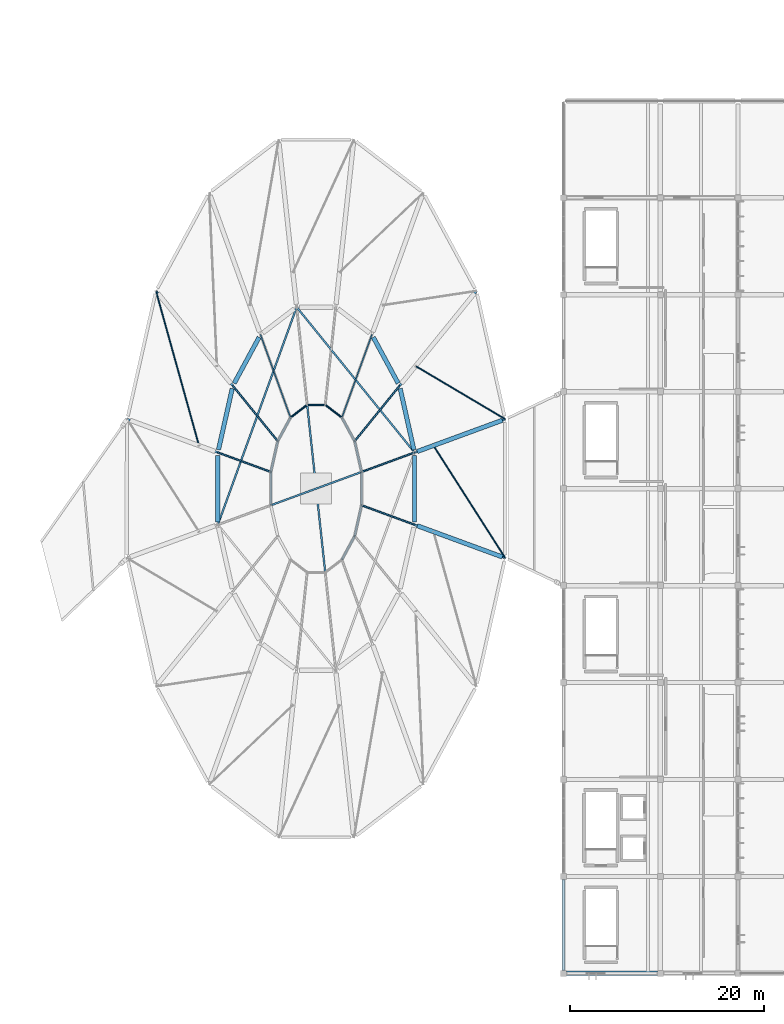
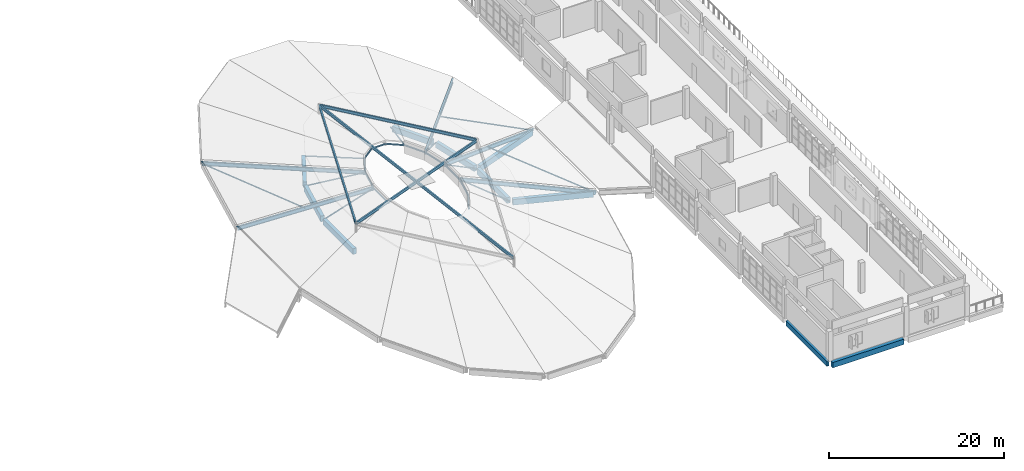
# One storey, part 7 of 39: 26 members, 14 beams.
"""IFC4 building model written with IfcOpenShell, lengths in metres."""

import ifcopenshell
import ifcopenshell.guid

model = None  # the IFC model being written
_history = None  # IfcOwnerHistory: only IFC2X3 demands one
_inside = {}  # id of a spatial element -> (the spatial element, [elements in it])
_under = {}  # id of a project, library or spatial element -> (it, [spatial elements below it])
_declared = {}  # id of a project -> (the project, [libraries it declares])
_typed = {}  # id of a type object -> (the type object, [elements of that type])
_made_of = {}  # id of a material, layer set ... -> (it, [elements and type objects made of it])


def new_model(schema):
    """Start an empty IFC model of exactly this schema.

    Asked for "IFC4X3", IfcOpenShell would pick the latest addendum, in which some entities
    have other attributes; the version numbers below select the first issue.
    IFC2X3 requires an IfcOwnerHistory on every rooted entity: one is made here for all.
    """
    global model, _history
    if schema == "IFC4X3":
        model = ifcopenshell.file(schema_version=(4, 3, 0, 0))
    else:
        model = ifcopenshell.file(schema=schema)
    _inside.clear()
    _under.clear()
    _declared.clear()
    _typed.clear()
    _made_of.clear()
    _history = None
    if model.schema == "IFC2X3":
        org = make("IfcOrganization", Name="unknown")
        user = make(
            "IfcPersonAndOrganization",
            ThePerson=make("IfcPerson", FamilyName="unknown"),
            TheOrganization=org,
        )
        app = make(
            "IfcApplication",
            ApplicationDeveloper=org,
            Version="unknown",
            ApplicationFullName="unknown",
            ApplicationIdentifier="unknown",
        )
        _history = make(
            "IfcOwnerHistory",
            OwningUser=user,
            OwningApplication=app,
            ChangeAction="ADDED",
            CreationDate=0,
        )
    return model


def make(cls, **values):
    """One entity of the class cls with the attributes given. An attribute that is None is left unset."""
    return model.create_entity(
        cls, **{name: value for name, value in values.items() if value is not None}
    )


def rooted(cls, **values):
    """An entity with a GlobalId (a new one), such as an element, a storey or a relation."""
    return make(cls, GlobalId=ifcopenshell.guid.new(), OwnerHistory=_history, **values)


def si_unit(unit_type, name, prefix=None):
    """IfcSIUnit, for example si_unit("LENGTHUNIT", "METRE", prefix="MILLI")."""
    return make("IfcSIUnit", UnitType=unit_type, Prefix=prefix, Name=name)


def assignment(units):
    """IfcUnitAssignment: the units of a project."""
    return None if units is None else make("IfcUnitAssignment", Units=units)


def point(xyz):
    """IfcCartesianPoint."""
    return None if xyz is None else make("IfcCartesianPoint", Coordinates=xyz)


def direction(xyz):
    """IfcDirection."""
    return None if xyz is None else make("IfcDirection", DirectionRatios=xyz)


def frame(location, z_axis=None, x_axis=None):
    """IfcAxis2Placement3D, a coordinate frame: its origin and axes. An axis left out is left unset."""
    return make(
        "IfcAxis2Placement3D",
        Location=point(location),
        Axis=direction(z_axis),
        RefDirection=direction(x_axis),
    )


def frame_2d(location, x_axis=None):
    """IfcAxis2Placement2D, a coordinate frame in the plane: its origin and x axis."""
    return make(
        "IfcAxis2Placement2D", Location=point(location), RefDirection=direction(x_axis)
    )


def origin():
    """The frame at (0, 0, 0) with its axes left unset."""
    return frame((0.0, 0.0, 0.0))


def origin_2d():
    """The frame at (0, 0) in the plane with its x axis left unset."""
    return frame_2d((0.0, 0.0))


def place(relative_to, where):
    """IfcLocalPlacement: puts the frame where relative to a parent placement (None: the world)."""
    return make(
        "IfcLocalPlacement", PlacementRelTo=relative_to, RelativePlacement=where
    )


def context(
    kind, dimensions, precision=None, world=None, true_north=None, identifier=None
):
    """IfcGeometricRepresentationContext, for example the 3D "Model" context."""
    return make(
        "IfcGeometricRepresentationContext",
        ContextIdentifier=identifier,
        ContextType=kind,
        CoordinateSpaceDimension=dimensions,
        Precision=precision,
        WorldCoordinateSystem=world,
        TrueNorth=true_north,
    )


def subcontext(parent, identifier, kind, view, scale=None):
    """IfcGeometricRepresentationSubContext, for example "Body" below "Model"."""
    return make(
        "IfcGeometricRepresentationSubContext",
        ContextIdentifier=identifier,
        ContextType=kind,
        ParentContext=parent,
        TargetScale=scale,
        TargetView=view,
    )


def project(units=None, contexts=None):
    """IfcProject with its units and contexts."""
    return rooted(
        "IfcProject",
        Name="project",
        RepresentationContexts=contexts,
        UnitsInContext=assignment(units),
    )


def spatial(cls, under=None, at=None, **own):
    """A site, building, storey or space (cls), placed at a placement, below another one or the project."""
    s = rooted(cls, ObjectPlacement=at, **own)
    if under is not None:
        _under.setdefault(under.id(), (under, []))[1].append(s)
    return s


def profile(cls, at=None, kind="AREA", **sizes):
    """A parametric profile (cls). Its sizes go by their IFC names, for example OverallWidth=200.0."""
    return make(cls, ProfileType=kind, Position=at, **sizes)


def rectangle(**sizes):
    """IfcRectangleProfileDef."""
    return profile("IfcRectangleProfileDef", **sizes)


def hollow_rectangle(**sizes):
    """IfcRectangleHollowProfileDef."""
    return profile("IfcRectangleHollowProfileDef", **sizes)


def hollow_circle(**sizes):
    """IfcCircleHollowProfileDef."""
    return profile("IfcCircleHollowProfileDef", **sizes)


def i_section(**sizes):
    """IfcIShapeProfileDef."""
    return profile("IfcIShapeProfileDef", **sizes)


def extrude(swept, where, along, depth):
    """IfcExtrudedAreaSolid: the profile swept, set in the frame where, extruded along a direction by depth."""
    return make(
        "IfcExtrudedAreaSolid",
        SweptArea=swept,
        Position=where,
        ExtrudedDirection=direction(along),
        Depth=depth,
    )


def shape(context_of_items, identifier, shape_type, items):
    """IfcShapeRepresentation: the items that make up one representation, for example the "Body"."""
    return make(
        "IfcShapeRepresentation",
        ContextOfItems=context_of_items,
        RepresentationIdentifier=identifier,
        RepresentationType=shape_type,
        Items=items,
    )


def material(Name=None, Category=None):
    """IfcMaterial."""
    return make("IfcMaterial", Name=Name, Category=Category)


def material_profile(
    of_material, cross_section, Name=None, Category=None, Priority=None
):
    """IfcMaterialProfile: a cross section and its material."""
    return make(
        "IfcMaterialProfile",
        Name=Name,
        Material=of_material,
        Profile=cross_section,
        Priority=Priority,
        Category=Category,
    )


def profile_set(profiles, Name=None, composite=None):
    """IfcMaterialProfileSet."""
    return make(
        "IfcMaterialProfileSet",
        Name=Name,
        MaterialProfiles=profiles,
        CompositeProfile=composite,
    )


def made_of(thing, what):
    """Note that an element or type object is made of a material, layer set ...; save() writes the relation."""
    if what is not None:
        _made_of.setdefault(what.id(), (what, []))[1].append(thing)
    return thing


def type_object(cls, material=None, **own):
    """A type object (cls), such as IfcWallType, which elements share."""
    return made_of(rooted(cls, **own), material)


def element(
    cls,
    number,
    at=None,
    inside=None,
    cuts=None,
    type_object=None,
    material=None,
    context=None,
    identifier="Body",
    shape_type=None,
    held_by="IfcProductDefinitionShape",
    body=None,
    shapes=None,
    **own,
):
    """One element of the class cls, such as IfcWall. Its Tag is "e" and its number.

    at: its placement. inside: the storey or other place that contains it. cuts: it is an
    opening in that element (IfcRelVoidsElement). A single representation is given by context,
    identifier, shape_type and body (its items); several are given by shapes. held_by: the class
    of the entity that holds the representations. save() writes the other relations.
    """
    e = rooted(cls, Tag="e%d" % number, ObjectPlacement=at, **own)
    if body is not None:
        shapes = [shape(context, identifier, shape_type, body)]
    if shapes is not None:
        e.Representation = make(held_by, Representations=shapes)
    if inside is not None:
        _inside.setdefault(inside.id(), (inside, []))[1].append(e)
    if cuts is not None:
        rooted(
            "IfcRelVoidsElement", RelatingBuildingElement=cuts, RelatedOpeningElement=e
        )
    if type_object is not None:
        _typed.setdefault(type_object.id(), (type_object, []))[1].append(e)
    return made_of(e, material)


def aggregate(whole, parts):
    """IfcRelAggregates: a whole, such as a stair, and the parts it consists of."""
    return rooted("IfcRelAggregates", RelatingObject=whole, RelatedObjects=parts)


def save(model, path):
    """Write the relations noted so far, then the file.

    IfcRelAggregates (storeys below a building ...), IfcRelContainedInSpatialStructure (elements
    in a storey), IfcRelDefinesByType, IfcRelAssociatesMaterial and IfcRelDeclares: one each for
    every whole, place, type object, material and project.
    """
    for whole, parts in _under.values():
        aggregate(whole, parts)
    for where, things in _inside.values():
        rooted(
            "IfcRelContainedInSpatialStructure",
            RelatedElements=things,
            RelatingStructure=where,
        )
    for kind, things in _typed.values():
        rooted("IfcRelDefinesByType", RelatedObjects=things, RelatingType=kind)
    for what, things in _made_of.values():
        rooted("IfcRelAssociatesMaterial", RelatedObjects=things, RelatingMaterial=what)
    for by, libraries in _declared.values():
        rooted("IfcRelDeclares", RelatingContext=by, RelatedDefinitions=libraries)
    model.write(path)


model = new_model("IFC4")

# Units and contexts
model_context = context("Model", 3, precision=1e-05, world=origin(), true_north=direction((0.0, 1.0)))
body_context = subcontext(model_context, "Body", "Model", "MODEL_VIEW")
ifc_project = project(units=[si_unit("LENGTHUNIT", "METRE"), si_unit("AREAUNIT", "SQUARE_METRE"), si_unit("VOLUMEUNIT", "CUBIC_METRE"), si_unit("PLANEANGLEUNIT", "RADIAN"), si_unit("MASSUNIT", "GRAM", prefix="KILO")], contexts=[model_context])

# Site, building, storey
site_placement = place(None, origin())
site = spatial("IfcSite", under=ifc_project, at=site_placement, CompositionType="ELEMENT")
building_placement = place(site_placement, origin())
building = spatial("IfcBuilding", under=site, at=building_placement, Name="Corvandel Quay Wholesale Market", CompositionType="ELEMENT")
storey_placement = place(building_placement, frame((0.0, 0.0, 15.0)))
storey = spatial("IfcBuildingStorey", under=building, at=storey_placement, Name="L03", CompositionType="ELEMENT", Elevation=15.0)

# Members
ifc_material_1 = material(Name="Steel A992 Grade 50", Category="steel")
ifc_material_profile_1 = material_profile(ifc_material_1, i_section(OverallWidth=0.2099609375, OverallDepth=0.537109375, WebThickness=0.010986328125, FlangeThickness=0.017333984375, at=origin_2d()), Name="W21X68")
ifc_profile_set_1 = profile_set([ifc_material_profile_1], Name="Steel A992 Grade 50")
member_type_1 = type_object("IfcMemberType", Name="Auction Lantern Primary Rafter RF01 W21X68", PredefinedType="RAFTER", material=ifc_profile_set_1)
member_1_placement = place(storey_placement, frame((214.0, 67.160888671875, -0.56005859375), z_axis=(-0.913434531927, -0.335411029383, 0.230514201845), x_axis=(0.344693996876, -0.938715105086, 0.0)))
element("IfcMember", 1, at=member_1_placement, inside=storey, type_object=member_type_1, Name="Member MEM-0046", PredefinedType="RAFTER", context=body_context, shape_type="SweptSolid", body=[
    extrude(i_section(OverallWidth=0.2099609375, OverallDepth=0.537109375, WebThickness=0.010986328125, FlangeThickness=0.017333984375, at=origin_2d()), origin(), (0.0, 0.0, 1.0), 16.224609375),
])
for number, where, z_axis, x_axis, name in (
    (2, (211.031005859375, 80.39208984375, -0.56005859375), (-0.618929758532, -0.763528723844, 0.184254828616), (0.776829200106, -0.629711357578, 0.0), "Member MEM-0050"),
    (3, (177.968994140625, 80.39208984375, -0.56005859375), (0.618929758532, -0.763528723844, 0.184254828616), (0.776829200106, 0.629711357578, 0.0), "Member MEM-0070"),
):
    element("IfcMember", number, at=place(storey_placement, frame(where, z_axis=z_axis, x_axis=x_axis)), inside=storey, type_object=member_type_1, Name=name, PredefinedType="RAFTER", context=body_context, shape_type="SweptSolid", body=[
        extrude(i_section(OverallWidth=0.2099609375, OverallDepth=0.537109375, WebThickness=0.010986328125, FlangeThickness=0.017333984375, at=origin_2d()), origin(), (0.0, 0.0, 1.0), 20.2978515625),
    ])
for number, where, z_axis, x_axis, name in (
    (4, (175.0, 67.160888671875, -0.56005859375), (0.913434531927, -0.335411029383, 0.230514201845), (0.344693996876, 0.938715105086, 0.0), "Member MEM-0074"),
    (5, (214.0, 52.839111328125, -0.56005859375), (-0.913434531927, 0.335411029383, 0.230514201845), (-0.344693996876, -0.938715105086, 0.0), "Member MEM-0106"),
):
    element("IfcMember", number, at=place(storey_placement, frame(where, z_axis=z_axis, x_axis=x_axis)), inside=storey, type_object=member_type_1, Name=name, PredefinedType="RAFTER", context=body_context, shape_type="SweptSolid", body=[
        extrude(i_section(OverallWidth=0.2099609375, OverallDepth=0.537109375, WebThickness=0.010986328125, FlangeThickness=0.017333984375, at=origin_2d()), origin(), (0.0, 0.0, 1.0), 16.224609375),
    ])

# Beams
ifc_material_2 = material(Name="Precast concrete C45/55", Category="concrete")
ifc_material_profile_2 = material_profile(ifc_material_2, rectangle(XDim=0.449951171875, YDim=0.800048828125, at=origin_2d()), Name="PC-GIR-450x800")
ifc_profile_set_2 = profile_set([ifc_material_profile_2], Name="Precast concrete C45/55")
beam_type_1 = type_object("IfcBeamType", Name="Auction Pavilion Girder G05 450x800", PredefinedType="USERDEFINED", material=ifc_profile_set_2)
beam_1_placement = place(storey_placement, frame((204.575439453125, 64.01171875, -0.60009765625), z_axis=(-0.21896639663, 0.975732400378, 0.0), x_axis=(-0.975732400378, -0.21896639663, 0.0)))
element("IfcBeam", 6, at=beam_1_placement, inside=storey, type_object=beam_type_1, Name="Beam BM-0778", ObjectType="GIRDER", PredefinedType="USERDEFINED", context=body_context, shape_type="SweptSolid", body=[
    extrude(rectangle(XDim=0.449951171875, YDim=0.800048828125, at=origin_2d()), origin(), (0.0, 0.0, 1.0), 6.461181640625),
])
beam_2_placement = place(storey_placement, frame((213.69970703125, 67.05078125, -0.60009765625), z_axis=(-0.938711465008, -0.344703909845, 0.0), x_axis=(0.344703909845, -0.938711465008, 0.0)))
element("IfcBeam", 7, at=beam_2_placement, inside=storey, type_object=beam_type_1, Name="Beam BM-0779", ObjectType="GIRDER", PredefinedType="USERDEFINED", context=body_context, shape_type="SweptSolid", body=[
    extrude(rectangle(XDim=0.449951171875, YDim=0.800048828125, at=origin_2d()), origin(), (0.0, 0.0, 1.0), 9.356201171875),
])
for number, where, z_axis, x_axis, name in (
    (8, (202.95556640625, 70.86328125, -0.60009765625), (-0.476223419168, 0.879324317323, 0.0), (-0.879324317323, -0.476223419168, 0.0), "Beam BM-0789"),
    (9, (188.615478515625, 75.610595703125, -0.60009765625), (-0.476223419168, -0.879324317323, 0.0), (0.879324317323, -0.476223419168, 0.0), "Beam BM-0829"),
):
    element("IfcBeam", number, at=place(storey_placement, frame(where, z_axis=z_axis, x_axis=x_axis)), inside=storey, type_object=beam_type_1, Name=name, ObjectType="GIRDER", PredefinedType="USERDEFINED", context=body_context, shape_type="SweptSolid", body=[
        extrude(rectangle(XDim=0.449951171875, YDim=0.800048828125, at=origin_2d()), origin(), (0.0, 0.0, 1.0), 5.39892578125),
    ])
beam_3_placement = place(storey_placement, frame((185.83935546875, 70.316162109375, -0.60009765625), z_axis=(-0.21896639663, -0.975732400378, 0.0), x_axis=(0.975732400378, -0.21896639663, 0.0)))
element("IfcBeam", 10, at=beam_3_placement, inside=storey, type_object=beam_type_1, Name="Beam BM-0840", ObjectType="GIRDER", PredefinedType="USERDEFINED", context=body_context, shape_type="SweptSolid", body=[
    extrude(rectangle(XDim=0.449951171875, YDim=0.800048828125, at=origin_2d()), origin(), (0.0, 0.0, 1.0), 6.461181640625),
])
for number, where, z_axis, x_axis, name in (
    (11, (184.360107421875, 63.428955078125, -0.60009765625), (0.0, -1.0, 0.0), (1.0, 0.0, 0.0), "Beam BM-0849"),
    (12, (204.639892578125, 56.571044921875, -0.60009765625), (0.0, 1.0, 0.0), (-1.0, 0.0, 0.0), "Beam BM-0935"),
):
    element("IfcBeam", number, at=place(storey_placement, frame(where, z_axis=z_axis, x_axis=x_axis)), inside=storey, type_object=beam_type_1, Name=name, ObjectType="GIRDER", PredefinedType="USERDEFINED", context=body_context, shape_type="SweptSolid", body=[
        extrude(rectangle(XDim=0.449951171875, YDim=0.800048828125, at=origin_2d()), origin(), (0.0, 0.0, 1.0), 6.85791015625),
    ])
beam_4_placement = place(storey_placement, frame((213.69970703125, 52.94921875, -0.60009765625), z_axis=(-0.938711465008, 0.344703909845, 0.0), x_axis=(-0.344703909845, -0.938711465008, 0.0)))
element("IfcBeam", 13, at=beam_4_placement, inside=storey, type_object=beam_type_1, Name="Beam BM-0936", ObjectType="GIRDER", PredefinedType="USERDEFINED", context=body_context, shape_type="SweptSolid", body=[
    extrude(rectangle(XDim=0.449951171875, YDim=0.800048828125, at=origin_2d()), origin(), (0.0, 0.0, 1.0), 9.356201171875),
])
ifc_material_profile_3 = material_profile(ifc_material_1, i_section(OverallWidth=0.177978515625, OverallDepth=0.406005859375, WebThickness=0.0078125, FlangeThickness=0.0126953125, at=origin_2d()), Name="W16X40")
ifc_profile_set_3 = profile_set([ifc_material_profile_3], Name="Steel A992 Grade 50")
beam_type_2 = type_object("IfcBeamType", Name="Canopy Steel Edge Beam SB01 W16X40", PredefinedType="BEAM", material=ifc_profile_set_3)
beam_5_placement = place(storey_placement, frame((204.563232421875, 63.81884765625, 3.447021484375), z_axis=(-0.629745980697, 0.776801132721, 0.0), x_axis=(-0.776801132721, -0.629745980697, 0.0)))
element("IfcBeam", 14, at=beam_5_placement, inside=storey, type_object=beam_type_2, Name="Beam BM-0937", PredefinedType="BEAM", context=body_context, shape_type="SweptSolid", body=[
    extrude(i_section(OverallWidth=0.177978515625, OverallDepth=0.406005859375, WebThickness=0.0078125, FlangeThickness=0.0126953125, at=origin_2d()), origin(), (0.0, 0.0, 1.0), 19.060791015625),
])
beam_6_placement = place(storey_placement, frame((192.44140625, 78.605224609375, 3.447021484375), z_axis=(-0.340313013365, -0.940312210351, 0.0), x_axis=(0.940312210351, -0.340313013365, 0.0)))
element("IfcBeam", 15, at=beam_6_placement, inside=storey, type_object=beam_type_2, Name="Beam BM-0938", PredefinedType="BEAM", context=body_context, shape_type="SweptSolid", body=[
    extrude(i_section(OverallWidth=0.177978515625, OverallDepth=0.406005859375, WebThickness=0.0078125, FlangeThickness=0.0126953125, at=origin_2d()), origin(), (0.0, 0.0, 1.0), 23.624755859375),
])
beam_7_placement = place(storey_placement, frame((204.525390625, 63.681884765625, 3.447021484375), z_axis=(-0.938697389083, -0.344742239547, 0.0), x_axis=(0.344742239547, -0.938697389083, 0.0)))
element("IfcBeam", 16, at=beam_7_placement, inside=storey, type_object=beam_type_2, Name="Beam BM-0941", PredefinedType="BEAM", context=body_context, shape_type="SweptSolid", body=[
    extrude(i_section(OverallWidth=0.177978515625, OverallDepth=0.406005859375, WebThickness=0.0078125, FlangeThickness=0.0126953125, at=origin_2d()), origin(), (0.0, 0.0, 1.0), 21.360107421875),
])
beam_8_placement = place(storey_placement, frame((192.49609375, 78.5986328125, 3.447021484375), z_axis=(0.107124806133, -0.994245581288, 0.0), x_axis=(0.994245581288, 0.107124806133, 0.0)))
element("IfcBeam", 17, at=beam_8_placement, inside=storey, type_object=beam_type_2, Name="Beam BM-0942", PredefinedType="BEAM", context=body_context, shape_type="SweptSolid", body=[
    extrude(i_section(OverallWidth=0.177978515625, OverallDepth=0.406005859375, WebThickness=0.0078125, FlangeThickness=0.0126953125, at=origin_2d()), origin(), (0.0, 0.0, 1.0), 37.41259765625),
])

# Members
ifc_material_3 = material(Name="Steel A500 Grade C", Category="steel")
ifc_material_profile_4 = material_profile(ifc_material_3, hollow_circle(Radius=0.109619140625, WallThickness=0.0087890625, at=origin_2d()), Name="HSS8.625X0.375")
ifc_profile_set_4 = profile_set([ifc_material_profile_4], Name="Steel A500 Grade C")
member_type_2 = type_object("IfcMemberType", Name="Lantern Oculus Ring Strut BR05 CHS219", PredefinedType="BRACE", material=ifc_profile_set_4)
member_2_placement = place(storey_placement, frame((199.179931640625, 61.718994140625, 3.179931640625), z_axis=(-0.218789056451, 0.975772180776, 0.0), x_axis=(-0.975772180776, -0.218789056451, 0.0)))
element("IfcMember", 18, at=member_2_placement, inside=storey, type_object=member_type_2, Name="Member MEM-0048", PredefinedType="BRACE", context=body_context, shape_type="SweptSolid", body=[
    extrude(hollow_circle(Radius=0.109619140625, WallThickness=0.0087890625, at=origin_2d()), origin(), (0.0, 0.0, 1.0), 3.25390625),
])
member_3_placement = place(storey_placement, frame((198.468017578125, 64.89404296875, 3.179931640625), z_axis=(-0.476394086366, 0.879231866162, 0.0), x_axis=(-0.879231866162, -0.476394086366, 0.0)))
element("IfcMember", 19, at=member_3_placement, inside=storey, type_object=member_type_2, Name="Member MEM-0052", PredefinedType="BRACE", context=body_context, shape_type="SweptSolid", body=[
    extrude(hollow_circle(Radius=0.109619140625, WallThickness=0.0087890625, at=origin_2d()), origin(), (0.0, 0.0, 1.0), 2.764892578125),
])
member_4_placement = place(storey_placement, frame((197.15087890625, 67.324951171875, 3.179931640625), z_axis=(-0.794431444656, 0.607353834055, 0.0), x_axis=(-0.607353834055, -0.794431444656, 0.0)))
element("IfcMember", 20, at=member_4_placement, inside=storey, type_object=member_type_2, Name="Member MEM-0056", PredefinedType="BRACE", context=body_context, shape_type="SweptSolid", body=[
    extrude(hollow_circle(Radius=0.109619140625, WallThickness=0.0087890625, at=origin_2d()), origin(), (0.0, 0.0, 1.0), 2.1650390625),
])
member_5_placement = place(storey_placement, frame((195.430908203125, 68.639892578125, 3.179931640625), z_axis=(-1.0, 0.0, 0.0), x_axis=(0.0, -1.0, 0.0)))
element("IfcMember", 21, at=member_5_placement, inside=storey, type_object=member_type_2, Name="Member MEM-0060", PredefinedType="BRACE", context=body_context, shape_type="SweptSolid", body=[
    extrude(hollow_circle(Radius=0.109619140625, WallThickness=0.0087890625, at=origin_2d()), origin(), (0.0, 0.0, 1.0), 1.86181640625),
])
member_6_placement = place(storey_placement, frame((193.569091796875, 68.639892578125, 3.179931640625), z_axis=(-0.794431444656, -0.607353834055, 0.0), x_axis=(0.607353834055, -0.794431444656, 0.0)))
element("IfcMember", 22, at=member_6_placement, inside=storey, type_object=member_type_2, Name="Member MEM-0064", PredefinedType="BRACE", context=body_context, shape_type="SweptSolid", body=[
    extrude(hollow_circle(Radius=0.109619140625, WallThickness=0.0087890625, at=origin_2d()), origin(), (0.0, 0.0, 1.0), 2.1650390625),
])
member_7_placement = place(storey_placement, frame((191.84912109375, 67.324951171875, 3.179931640625), z_axis=(-0.476394086366, -0.879231866162, 0.0), x_axis=(0.879231866162, -0.476394086366, 0.0)))
element("IfcMember", 23, at=member_7_placement, inside=storey, type_object=member_type_2, Name="Member MEM-0068", PredefinedType="BRACE", context=body_context, shape_type="SweptSolid", body=[
    extrude(hollow_circle(Radius=0.109619140625, WallThickness=0.0087890625, at=origin_2d()), origin(), (0.0, 0.0, 1.0), 2.764892578125),
])
member_8_placement = place(storey_placement, frame((190.531982421875, 64.89404296875, 3.179931640625), z_axis=(-0.218789056451, -0.975772180776, 0.0), x_axis=(0.975772180776, -0.218789056451, 0.0)))
element("IfcMember", 24, at=member_8_placement, inside=storey, type_object=member_type_2, Name="Member MEM-0072", PredefinedType="BRACE", context=body_context, shape_type="SweptSolid", body=[
    extrude(hollow_circle(Radius=0.109619140625, WallThickness=0.0087890625, at=origin_2d()), origin(), (0.0, 0.0, 1.0), 3.25390625),
])
member_9_placement = place(storey_placement, frame((189.820068359375, 61.718994140625, 3.179931640625), z_axis=(0.0, -1.0, 0.0), x_axis=(1.0, 0.0, 0.0)))
element("IfcMember", 25, at=member_9_placement, inside=storey, type_object=member_type_2, Name="Member MEM-0076", PredefinedType="BRACE", context=body_context, shape_type="SweptSolid", body=[
    extrude(hollow_circle(Radius=0.109619140625, WallThickness=0.0087890625, at=origin_2d()), origin(), (0.0, 0.0, 1.0), 3.43798828125),
])
member_10_placement = place(storey_placement, frame((197.15087890625, 52.675048828125, 3.179931640625), z_axis=(0.476394086366, 0.879231866162, 0.0), x_axis=(-0.879231866162, 0.476394086366, 0.0)))
element("IfcMember", 26, at=member_10_placement, inside=storey, type_object=member_type_2, Name="Member MEM-0100", PredefinedType="BRACE", context=body_context, shape_type="SweptSolid", body=[
    extrude(hollow_circle(Radius=0.109619140625, WallThickness=0.0087890625, at=origin_2d()), origin(), (0.0, 0.0, 1.0), 2.764892578125),
])
member_11_placement = place(storey_placement, frame((198.468017578125, 55.10595703125, 3.179931640625), z_axis=(0.218789056451, 0.975772180776, 0.0), x_axis=(-0.975772180776, 0.218789056451, 0.0)))
element("IfcMember", 27, at=member_11_placement, inside=storey, type_object=member_type_2, Name="Member MEM-0104", PredefinedType="BRACE", context=body_context, shape_type="SweptSolid", body=[
    extrude(hollow_circle(Radius=0.109619140625, WallThickness=0.0087890625, at=origin_2d()), origin(), (0.0, 0.0, 1.0), 3.25390625),
])
member_12_placement = place(storey_placement, frame((199.179931640625, 58.281005859375, 3.179931640625), z_axis=(0.0, 1.0, 0.0), x_axis=(-1.0, 0.0, 0.0)))
element("IfcMember", 28, at=member_12_placement, inside=storey, type_object=member_type_2, Name="Member MEM-0108", PredefinedType="BRACE", context=body_context, shape_type="SweptSolid", body=[
    extrude(hollow_circle(Radius=0.109619140625, WallThickness=0.0087890625, at=origin_2d()), origin(), (0.0, 0.0, 1.0), 3.43798828125),
])
ifc_material_profile_5 = material_profile(ifc_material_3, hollow_rectangle(XDim=0.126953125, YDim=0.126953125, WallThickness=0.00732421875, at=origin_2d()), Name="HSS5X5X5/16")
ifc_profile_set_5 = profile_set([ifc_material_profile_5], Name="Steel A500 Grade C")
member_type_3 = type_object("IfcMemberType", Name="Lantern Truss Web Brace BR04 HSS5X5", PredefinedType="BRACE", material=ifc_profile_set_5)
member_13_placement = place(storey_placement, frame((204.639892578125, 63.72412109375, -0.56005859375), z_axis=(-0.789565613205, -0.289961651818, 0.540840441276), x_axis=(0.344730664047, -0.938701640174, 0.0)))
element("IfcMember", 29, at=member_13_placement, inside=storey, type_object=member_type_3, Name="Member MEM-0047", PredefinedType="BRACE", context=body_context, shape_type="SweptSolid", body=[
    extrude(hollow_rectangle(XDim=0.126953125, YDim=0.126953125, WallThickness=0.00732421875, at=origin_2d()), origin(), (0.0, 0.0, 1.0), 6.9150390625),
])
member_14_placement = place(storey_placement, frame((203.095947265625, 70.60400390625, -0.56005859375), z_axis=(-0.561182128488, -0.692389091638, 0.453510710398), x_axis=(0.776873435772, -0.629656783329, 0.0)))
element("IfcMember", 30, at=member_14_placement, inside=storey, type_object=member_type_3, Name="Member MEM-0051", PredefinedType="BRACE", context=body_context, shape_type="SweptSolid", body=[
    extrude(hollow_rectangle(XDim=0.126953125, YDim=0.126953125, WallThickness=0.00732421875, at=origin_2d()), origin(), (0.0, 0.0, 1.0), 8.246826171875),
])
for number, where, z_axis, x_axis, name in (
    (31, (200.243896484375, 75.8701171875, -0.56005859375), (-0.314740005374, -0.869540999928, 0.380574800088), (0.940298316552, -0.3403514006, 0.0), "Member MEM-0055"),
    (32, (188.756103515625, 75.8701171875, -0.56005859375), (0.314740005374, -0.869540999928, 0.380574800088), (0.940298316552, 0.3403514006, 0.0), "Member MEM-0067"),
):
    element("IfcMember", number, at=place(storey_placement, frame(where, z_axis=z_axis, x_axis=x_axis)), inside=storey, type_object=member_type_3, Name=name, PredefinedType="BRACE", context=body_context, shape_type="SweptSolid", body=[
        extrude(hollow_rectangle(XDim=0.126953125, YDim=0.126953125, WallThickness=0.00732421875, at=origin_2d()), origin(), (0.0, 0.0, 1.0), 9.8271484375),
    ])
member_15_placement = place(storey_placement, frame((185.904052734375, 70.60400390625, -0.56005859375), z_axis=(0.561182128488, -0.692389091638, 0.453510710398), x_axis=(0.776873435772, 0.629656783329, 0.0)))
element("IfcMember", 33, at=member_15_placement, inside=storey, type_object=member_type_3, Name="Member MEM-0071", PredefinedType="BRACE", context=body_context, shape_type="SweptSolid", body=[
    extrude(hollow_rectangle(XDim=0.126953125, YDim=0.126953125, WallThickness=0.00732421875, at=origin_2d()), origin(), (0.0, 0.0, 1.0), 8.246826171875),
])
for number, where, z_axis, x_axis, name in (
    (34, (184.360107421875, 63.72412109375, -0.56005859375), (0.789565613205, -0.289961651818, 0.540840441276), (0.344730664047, 0.938701640174, 0.0), "Member MEM-0075"),
    (35, (204.639892578125, 56.27587890625, -0.56005859375), (-0.789565613205, 0.289961651818, 0.540840441276), (-0.344730664047, -0.938701640174, 0.0), "Member MEM-0107"),
):
    element("IfcMember", number, at=place(storey_placement, frame(where, z_axis=z_axis, x_axis=x_axis)), inside=storey, type_object=member_type_3, Name=name, PredefinedType="BRACE", context=body_context, shape_type="SweptSolid", body=[
        extrude(hollow_rectangle(XDim=0.126953125, YDim=0.126953125, WallThickness=0.00732421875, at=origin_2d()), origin(), (0.0, 0.0, 1.0), 6.9150390625),
    ])
ifc_material_profile_6 = material_profile(ifc_material_3, hollow_circle(Radius=0.083984375, WallThickness=0.00732421875, at=origin_2d()), Name="HSS6.625X0.312")
ifc_profile_set_6 = profile_set([ifc_material_profile_6], Name="Steel A500 Grade C")
member_type_4 = type_object("IfcMemberType", Name="Roof Diaphragm Wind Brace BR06 CHS168", PredefinedType="BRACE", material=ifc_profile_set_6)
member_16_placement = place(storey_placement, frame((214.0, 67.160888671875, -0.56005859375), z_axis=(-0.84755244861, 0.502290584153, 0.171344728328), x_axis=(-0.509830396137, -0.860274936968, 0.0)))
element("IfcMember", 36, at=member_16_placement, inside=storey, type_object=member_type_4, Name="Member MEM-0049", PredefinedType="BRACE", context=body_context, shape_type="SweptSolid", body=[
    extrude(hollow_circle(Radius=0.083984375, WallThickness=0.00732421875, at=origin_2d()), origin(), (0.0, 0.0, 1.0), 10.914306640625),
])
member_17_placement = place(storey_placement, frame((177.968994140625, 80.39208984375, -0.56005859375), z_axis=(0.266497125401, -0.957279943579, 0.112224737799), x_axis=(0.963365668117, 0.268191330013, 0.0)))
element("IfcMember", 37, at=member_17_placement, inside=storey, type_object=member_type_4, Name="Member MEM-0073", PredefinedType="BRACE", context=body_context, shape_type="SweptSolid", body=[
    extrude(hollow_circle(Radius=0.083984375, WallThickness=0.00732421875, at=origin_2d()), origin(), (0.0, 0.0, 1.0), 16.6640625),
])
member_18_placement = place(storey_placement, frame((214.0, 52.839111328125, -0.56005859375), z_axis=(-0.533400092185, 0.83508194723, 0.134619772203), x_axis=(-0.84275325269, -0.53830006045, 0.0)))
element("IfcMember", 38, at=member_18_placement, inside=storey, type_object=member_type_4, Name="Member MEM-0109", PredefinedType="BRACE", context=body_context, shape_type="SweptSolid", body=[
    extrude(hollow_circle(Radius=0.083984375, WallThickness=0.00732421875, at=origin_2d()), origin(), (0.0, 0.0, 1.0), 13.891845703125),
])

# Beams
ifc_material_profile_7 = material_profile(ifc_material_2, rectangle(XDim=0.300048828125, YDim=0.699951171875, at=origin_2d()), Name="PC-SPN-300x700")
ifc_profile_set_7 = profile_set([ifc_material_profile_7], Name="Precast concrete C45/55")
beam_type_3 = type_object("IfcBeamType", Name="Terrace Edge Spandrel SP03 300x700", PredefinedType="SPANDREL", material=ifc_profile_set_7)
beam_9_placement = place(storey_placement, frame((220.0, 10.320068359375, -0.669921875), z_axis=(0.0, 1.0, 0.0), x_axis=(-1.0, 0.0, 0.0)))
element("IfcBeam", 39, at=beam_9_placement, inside=storey, type_object=beam_type_3, Name="Beam BM-1642", PredefinedType="SPANDREL", context=body_context, shape_type="SweptSolid", body=[
    extrude(rectangle(XDim=0.300048828125, YDim=0.699951171875, at=origin_2d()), origin(), (0.0, 0.0, 1.0), 9.35986328125),
])
ifc_material_profile_8 = material_profile(ifc_material_2, rectangle(XDim=0.449951171875, YDim=0.75, at=origin_2d()), Name="PC-GIR-450x750")
ifc_profile_set_8 = profile_set([ifc_material_profile_8], Name="Precast concrete C45/55")
beam_type_4 = type_object("IfcBeamType", Name="Waterfront Office Girder G06 450x750", PredefinedType="USERDEFINED", material=ifc_profile_set_8)
beam_10_placement = place(storey_placement, frame((220.320068359375, 10.0, -0.695068359375), z_axis=(1.0, 0.0, 0.0), x_axis=(0.0, 1.0, 0.0)))
element("IfcBeam", 40, at=beam_10_placement, inside=storey, type_object=beam_type_4, Name="Beam BM-1612", ObjectType="GIRDER", PredefinedType="USERDEFINED", context=body_context, shape_type="SweptSolid", body=[
    extrude(rectangle(XDim=0.449951171875, YDim=0.75, at=origin_2d()), origin(), (0.0, 0.0, 1.0), 9.35986328125),
])

save(model, "model.ifc")
